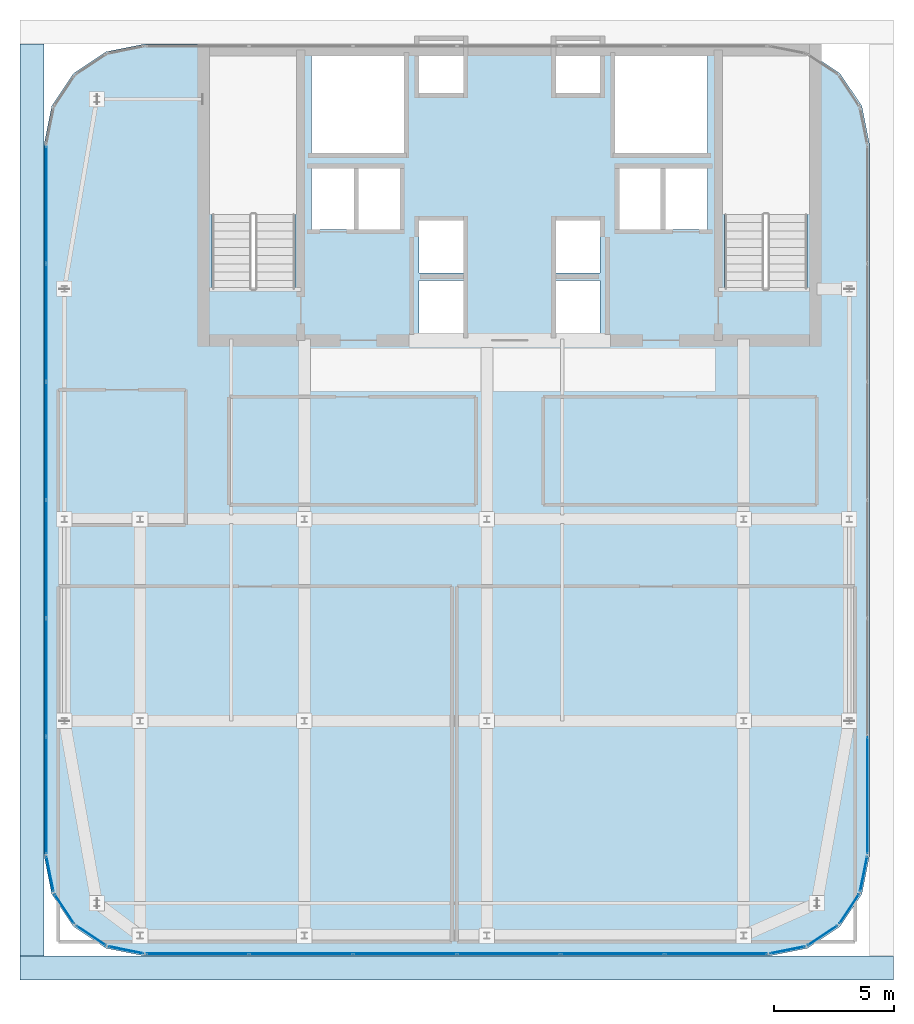
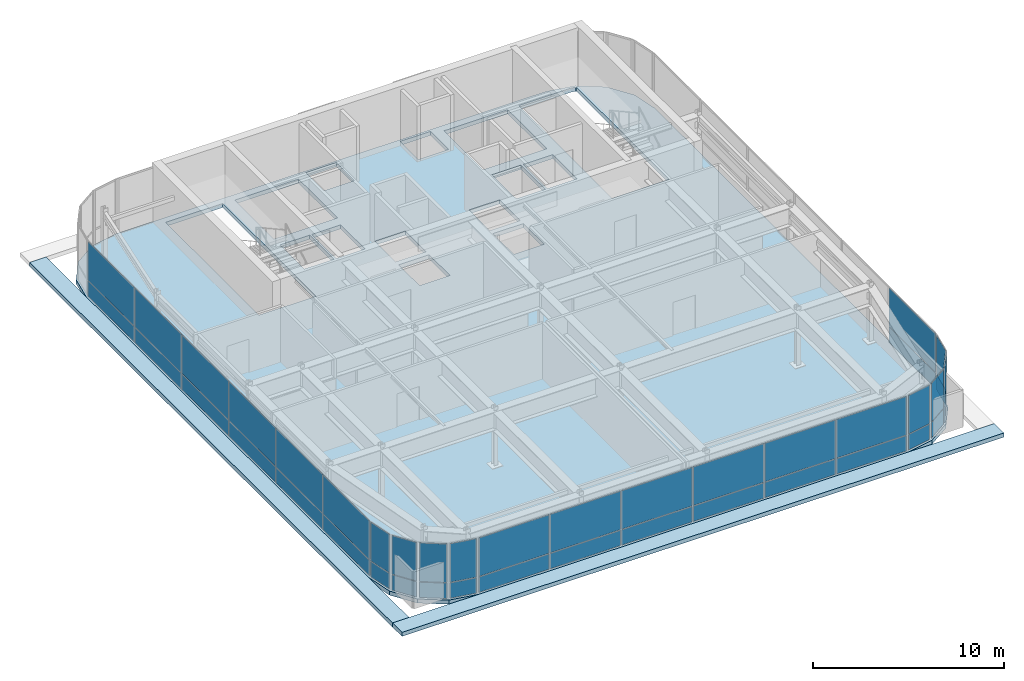
# One storey, part 27 of 35: 42 plates, 3 slabs, 11 elements without a shape of their own.
"""IFC4 building model written with IfcOpenShell, lengths in metres."""

from ifc_helpers import new_model, si_unit, direction, frame, origin, origin_2d, place, context, subcontext, project, spatial, polyline, rectangle, outline, extrude, source, transform, mapped, material, layer, layer_set, type_object, type_shapes, element, aggregate, save


model = new_model("IFC4")

# Units and contexts
model_context = context("Model", 3, precision=1e-05, world=origin(), true_north=direction((0.0, 1.0)))
body_context = subcontext(model_context, "Body", "Model", "MODEL_VIEW")
ifc_project = project(units=[si_unit("LENGTHUNIT", "METRE"), si_unit("AREAUNIT", "SQUARE_METRE"), si_unit("VOLUMEUNIT", "CUBIC_METRE"), si_unit("PLANEANGLEUNIT", "RADIAN"), si_unit("MASSUNIT", "GRAM", prefix="KILO")], contexts=[model_context])

# Site, building, storey
site_placement = place(None, origin())
site = spatial("IfcSite", under=ifc_project, at=site_placement, CompositionType="ELEMENT")
building_placement = place(site_placement, origin())
building = spatial("IfcBuilding", under=site, at=building_placement, Name="Tolvann Quenvar Hotel", CompositionType="ELEMENT")
storey_placement = place(building_placement, frame((0.0, 0.0, 290.949951171875)))
storey = spatial("IfcBuildingStorey", under=building, at=storey_placement, Name="L77", CompositionType="ELEMENT", Elevation=290.949951171875)

# Slabs
ifc_material_1 = material(Name="Concrete N50 (50 MPa)", Category="concrete")
ifc_layer_1 = layer(ifc_material_1, 0.260009765625)
ifc_layer_set_1 = layer_set([ifc_layer_1], Name="Concrete N50 (50 MPa)")
slab_type_1 = type_object("IfcSlabType", Name="SLAB_POD_250", PredefinedType="FLOOR", material=ifc_layer_set_1)
slab_1_placement = place(storey_placement, frame((0.0, 0.0, -0.260009765625)))
element("IfcSlab", 1, at=slab_1_placement, inside=storey, type_object=slab_type_1, Name="Level L77 Structural Floor Slab", PredefinedType="FLOOR", context=body_context, shape_type="SweptSolid", body=[
    extrude(outline(polyline([(3.60009765625, 10.39990234375), (3.919677734375, 8.792724609375), (4.830078125, 7.43017578125), (6.192626953125, 6.519775390625), (7.800048828125, 6.199951171875), (33.800048828125, 6.199951171875), (35.4072265625, 6.519775390625), (36.769775390625, 7.43017578125), (37.680419921875, 8.792724609375), (38.0, 10.39990234375), (38.0, 40.0), (37.680419921875, 41.607421875), (36.769775390625, 42.9697265625), (35.4072265625, 43.88037109375), (33.800048828125, 44.199951171875), (7.800048828125, 44.199951171875), (6.192626953125, 43.88037109375), (4.830078125, 42.9697265625), (3.919677734375, 41.607421875), (3.60009765625, 40.0), (3.60009765625, 10.39990234375)]), holes=[polyline([(35.39990234375, 43.716796875), (35.39990234375, 34.02490234375), (31.949951171875, 34.02490234375), (31.949951171875, 43.800048828125), (35.093505859375, 43.800048828125), (35.352783203125, 43.748291015625), (35.39990234375, 43.716796875)]), polyline([(27.39990234375, 43.75), (31.25, 43.75), (31.25, 39.64990234375), (27.39990234375, 39.64990234375), (27.39990234375, 43.75)]), polyline([(29.449951171875, 39.02001953125), (31.25, 39.02001953125), (31.25, 36.47998046875), (29.449951171875, 36.47998046875), (29.449951171875, 39.02001953125)]), polyline([(27.574951171875, 39.02001953125), (29.324951171875, 39.02001953125), (29.324951171875, 36.47998046875), (27.574951171875, 36.47998046875), (27.574951171875, 39.02001953125)]), polyline([(24.929931640625, 36.840087890625), (26.77001953125, 36.840087890625), (26.77001953125, 34.659912109375), (24.929931640625, 34.659912109375), (24.929931640625, 36.840087890625)]), polyline([(24.929931640625, 44.06005859375), (26.77001953125, 44.06005859375), (26.77001953125, 42.159912109375), (24.929931640625, 42.159912109375), (24.929931640625, 44.06005859375)]), polyline([(24.929931640625, 32.159912109375), (24.929931640625, 34.340087890625), (26.77001953125, 34.340087890625), (26.77001953125, 32.159912109375), (24.929931640625, 32.159912109375)]), polyline([(19.22998046875, 36.840087890625), (21.070068359375, 36.840087890625), (21.070068359375, 34.659912109375), (19.22998046875, 34.659912109375), (19.22998046875, 36.840087890625)]), polyline([(19.22998046875, 44.06005859375), (21.070068359375, 44.06005859375), (21.070068359375, 42.159912109375), (19.22998046875, 42.159912109375), (19.22998046875, 44.06005859375)]), polyline([(19.22998046875, 32.159912109375), (19.22998046875, 34.340087890625), (21.070068359375, 34.340087890625), (21.070068359375, 32.159912109375), (19.22998046875, 32.159912109375)]), polyline([(14.75, 43.75), (18.60009765625, 43.75), (18.60009765625, 39.64990234375), (14.75, 39.64990234375), (14.75, 43.75)]), polyline([(16.675048828125, 39.02001953125), (18.425048828125, 39.02001953125), (18.425048828125, 36.47998046875), (16.675048828125, 36.47998046875), (16.675048828125, 39.02001953125)]), polyline([(14.75, 39.02001953125), (16.550048828125, 39.02001953125), (16.550048828125, 36.47998046875), (14.75, 36.47998046875), (14.75, 39.02001953125)]), polyline([(10.60009765625, 34.02490234375), (10.60009765625, 43.800048828125), (14.050048828125, 43.800048828125), (14.050048828125, 34.02490234375), (10.60009765625, 34.02490234375)])]), origin(), (0.0, 0.0, 1.0), 0.260009765625),
])
ifc_layer_2 = layer(ifc_material_1, 0.260009765625)
ifc_layer_set_2 = layer_set([ifc_layer_2], Name="Concrete N50 (50 MPa)")
slab_type_2 = type_object("IfcSlabType", Name="SLAB_TER_260", PredefinedType="ROOF", material=ifc_layer_set_2)
slab_2_placement = place(storey_placement, frame((0.0, 0.0, -0.260009765625)))
element("IfcSlab", 2, at=slab_2_placement, inside=storey, type_object=slab_type_2, Name="Step-in Roof Cap (ROOF-L77-S)", PredefinedType="ROOF", context=body_context, shape_type="SweptSolid", body=[
    extrude(outline(polyline([(2.60009765625, 5.199951171875), (39.0, 5.199951171875), (39.0, 6.199951171875), (2.60009765625, 6.199951171875), (2.60009765625, 5.199951171875)])), origin(), (0.0, 0.0, 1.0), 0.260009765625),
])
slab_3_placement = place(storey_placement, frame((0.0, 0.0, -0.260009765625)))
element("IfcSlab", 3, at=slab_3_placement, inside=storey, type_object=slab_type_2, Name="Step-in Roof Cap (ROOF-L77-W)", PredefinedType="ROOF", context=body_context, shape_type="SweptSolid", body=[
    extrude(outline(polyline([(2.60009765625, 6.199951171875), (3.60009765625, 6.199951171875), (3.60009765625, 44.199951171875), (2.60009765625, 44.199951171875), (2.60009765625, 6.199951171875)])), origin(), (0.0, 0.0, 1.0), 0.260009765625),
])

# Curtain wall, plate
ifc_material_2 = material(Name="Thermally broken anodised architectural aluminium 6063-T6 and laminated low-E glass", Category="aluminium")
ifc_layer_3 = layer(ifc_material_2, 0.179931640625)
ifc_layer_set_3 = layer_set([ifc_layer_3], Name="Thermally broken anodised architectural aluminium 6063-T6 and laminated low-E glass")
curtain_wall_type = type_object("IfcCurtainWallType", Name="CW_SYS_LANT_06", PredefinedType="USERDEFINED", material=ifc_layer_set_3)
curtain_wall_1_placement = place(storey_placement, origin())
curtain_wall_1 = element("IfcCurtainWall", 4, at=curtain_wall_1_placement, inside=storey, type_object=curtain_wall_type, Name="Curtain Wall CW-LANT-06 (CWR-L77-E01)", ObjectType="UNITISED CURTAIN WALL", PredefinedType="USERDEFINED")
ifc_material_3 = material(Name="Diffused translucent ceramic-frit laminated lantern glass", Category="glass")
ifc_layer_4 = layer(ifc_material_3, 0.031982421875)
ifc_layer_set_4 = layer_set([ifc_layer_4], Name="Diffused translucent ceramic-frit laminated lantern glass")
plate_type = type_object("IfcPlateType", Name="CW_PAN_LANT_32", PredefinedType="CURTAIN_PANEL", material=ifc_layer_set_4)
shared_shape_1 = source(origin(), body_context, "Body", "SweptSolid", [
    extrude(rectangle(XDim=1.439208984375, YDim=0.031982421875, at=origin_2d()), origin(), (0.0, 0.0, 1.0), 0.97509765625),
])
plate_1_placement = place(storey_placement, frame((4.44970703125, 8.16162109375, 0.050048828125), z_axis=(0.0, 0.0, 1.0), x_axis=(0.555655769644, -0.831412452193, 0.0)))
plate_1 = element("IfcPlate", 5, at=plate_1_placement, type_object=plate_type, Name="CW-LANT-06 panel 1.1", PredefinedType="CURTAIN_PANEL", context=body_context, shape_type="MappedRepresentation", body=[
    mapped(shared_shape_1, transform((0.0, 0.0, 0.0), x_axis=(1.0, 0.0, 0.0), y_axis=(0.0, 1.0, 0.0), z_axis=(0.0, 0.0, 1.0), scale=1.0)),
])

curtain_wall_2_placement = place(storey_placement, origin())
curtain_wall_2 = element("IfcCurtainWall", 6, at=curtain_wall_2_placement, inside=storey, type_object=curtain_wall_type, Name="Curtain Wall CW-LANT-06 (CWR-L77-E02)", ObjectType="UNITISED CURTAIN WALL", PredefinedType="USERDEFINED")
plate_2_placement = place(storey_placement, frame((5.5615234375, 7.0498046875, 0.050048828125), z_axis=(0.0, 0.0, 1.0), x_axis=(0.831412452193, -0.555655769644, 0.0)))
plate_2 = element("IfcPlate", 7, at=plate_2_placement, type_object=plate_type, Name="CW-LANT-06 panel 1.1", PredefinedType="CURTAIN_PANEL", context=body_context, shape_type="MappedRepresentation", body=[
    mapped(shared_shape_1, transform((0.0, 0.0, 0.0), x_axis=(1.0, 0.0, 0.0), y_axis=(0.0, 1.0, 0.0), z_axis=(0.0, 0.0, 1.0), scale=1.0)),
])

curtain_wall_3_placement = place(storey_placement, origin())
curtain_wall_3 = element("IfcCurtainWall", 8, at=curtain_wall_3_placement, inside=storey, type_object=curtain_wall_type, Name="Curtain Wall CW-LANT-06 (CWR-L77-E06)", ObjectType="UNITISED CURTAIN WALL", PredefinedType="USERDEFINED")
plate_3_placement = place(storey_placement, frame((36.03857421875, 7.0498046875, 0.050048828125), z_axis=(0.0, 0.0, 1.0), x_axis=(0.831412452193, 0.555655769644, 0.0)))
plate_3 = element("IfcPlate", 9, at=plate_3_placement, type_object=plate_type, Name="CW-LANT-06 panel 1.1", PredefinedType="CURTAIN_PANEL", context=body_context, shape_type="MappedRepresentation", body=[
    mapped(shared_shape_1, transform((0.0, 0.0, 0.0), x_axis=(1.0, 0.0, 0.0), y_axis=(0.0, 1.0, 0.0), z_axis=(0.0, 0.0, 1.0), scale=1.0)),
])

curtain_wall_4_placement = place(storey_placement, origin())
curtain_wall_4 = element("IfcCurtainWall", 10, at=curtain_wall_4_placement, inside=storey, type_object=curtain_wall_type, Name="Curtain Wall CW-LANT-06 (CWR-L77-E07)", ObjectType="UNITISED CURTAIN WALL", PredefinedType="USERDEFINED")
plate_4_placement = place(storey_placement, frame((37.150146484375, 8.16162109375, 0.050048828125), z_axis=(0.0, 0.0, 1.0), x_axis=(0.555655769644, 0.831412452193, 0.0)))
plate_4 = element("IfcPlate", 11, at=plate_4_placement, type_object=plate_type, Name="CW-LANT-06 panel 1.1", PredefinedType="CURTAIN_PANEL", context=body_context, shape_type="MappedRepresentation", body=[
    mapped(shared_shape_1, transform((0.0, 0.0, 0.0), x_axis=(1.0, 0.0, 0.0), y_axis=(0.0, 1.0, 0.0), z_axis=(0.0, 0.0, 1.0), scale=1.0)),
])

# Plate
shared_shape_2 = source(origin(), body_context, "Body", "SweptSolid", [
    extrude(rectangle(XDim=1.439208984375, YDim=0.031982421875, at=origin_2d()), origin(), (0.0, 0.0, 1.0), 2.455078125),
])
plate_5_placement = place(storey_placement, frame((4.44970703125, 8.16162109375, 1.074951171875), z_axis=(0.0, 0.0, 1.0), x_axis=(0.555655769644, -0.831412452193, 0.0)))
plate_5 = element("IfcPlate", 12, at=plate_5_placement, type_object=plate_type, Name="CW-LANT-06 panel 1.2", PredefinedType="CURTAIN_PANEL", context=body_context, shape_type="MappedRepresentation", body=[
    mapped(shared_shape_2, transform((0.0, 0.0, 0.0), x_axis=(1.0, 0.0, 0.0), y_axis=(0.0, 1.0, 0.0), z_axis=(0.0, 0.0, 1.0), scale=1.0)),
])

aggregate(curtain_wall_1, [plate_1, plate_5])

plate_6_placement = place(storey_placement, frame((5.5615234375, 7.0498046875, 1.074951171875), z_axis=(0.0, 0.0, 1.0), x_axis=(0.831412452193, -0.555655769644, 0.0)))
plate_6 = element("IfcPlate", 13, at=plate_6_placement, type_object=plate_type, Name="CW-LANT-06 panel 1.2", PredefinedType="CURTAIN_PANEL", context=body_context, shape_type="MappedRepresentation", body=[
    mapped(shared_shape_2, transform((0.0, 0.0, 0.0), x_axis=(1.0, 0.0, 0.0), y_axis=(0.0, 1.0, 0.0), z_axis=(0.0, 0.0, 1.0), scale=1.0)),
])

aggregate(curtain_wall_2, [plate_2, plate_6])

plate_7_placement = place(storey_placement, frame((36.03857421875, 7.0498046875, 1.074951171875), z_axis=(0.0, 0.0, 1.0), x_axis=(0.831412452193, 0.555655769644, 0.0)))
plate_7 = element("IfcPlate", 14, at=plate_7_placement, type_object=plate_type, Name="CW-LANT-06 panel 1.2", PredefinedType="CURTAIN_PANEL", context=body_context, shape_type="MappedRepresentation", body=[
    mapped(shared_shape_2, transform((0.0, 0.0, 0.0), x_axis=(1.0, 0.0, 0.0), y_axis=(0.0, 1.0, 0.0), z_axis=(0.0, 0.0, 1.0), scale=1.0)),
])

aggregate(curtain_wall_3, [plate_3, plate_7])

plate_8_placement = place(storey_placement, frame((37.150146484375, 8.16162109375, 1.074951171875), z_axis=(0.0, 0.0, 1.0), x_axis=(0.555655769644, 0.831412452193, 0.0)))
plate_8 = element("IfcPlate", 15, at=plate_8_placement, type_object=plate_type, Name="CW-LANT-06 panel 1.2", PredefinedType="CURTAIN_PANEL", context=body_context, shape_type="MappedRepresentation", body=[
    mapped(shared_shape_2, transform((0.0, 0.0, 0.0), x_axis=(1.0, 0.0, 0.0), y_axis=(0.0, 1.0, 0.0), z_axis=(0.0, 0.0, 1.0), scale=1.0)),
])

aggregate(curtain_wall_4, [plate_4, plate_8])

# Curtain wall, plate
curtain_wall_5_placement = place(storey_placement, origin())
curtain_wall_5 = element("IfcCurtainWall", 16, at=curtain_wall_5_placement, inside=storey, type_object=curtain_wall_type, Name="Curtain Wall CW-LANT-06 (CWR-L77-E03)", ObjectType="UNITISED CURTAIN WALL", PredefinedType="USERDEFINED")
shared_shape_3 = source(origin(), body_context, "Body", "SweptSolid", [
    extrude(rectangle(XDim=1.456787109375, YDim=0.031982421875, at=origin_2d()), origin(), (0.0, 0.0, 1.0), 0.97509765625),
])
plate_9_placement = place(storey_placement, frame((7.0224609375, 6.4462890625, 0.050048828125), z_axis=(0.0, 0.0, 1.0), x_axis=(0.980790999222, -0.195061569369, 0.0)))
plate_9 = element("IfcPlate", 17, at=plate_9_placement, type_object=plate_type, Name="CW-LANT-06 panel 1.1", PredefinedType="CURTAIN_PANEL", context=body_context, shape_type="MappedRepresentation", body=[
    mapped(shared_shape_3, transform((0.0, 0.0, 0.0), x_axis=(1.0, 0.0, 0.0), y_axis=(0.0, 1.0, 0.0), z_axis=(0.0, 0.0, 1.0), scale=1.0)),
])

curtain_wall_6_placement = place(storey_placement, origin())
curtain_wall_6 = element("IfcCurtainWall", 18, at=curtain_wall_6_placement, inside=storey, type_object=curtain_wall_type, Name="Curtain Wall CW-LANT-06 (CWR-L77-E05)", ObjectType="UNITISED CURTAIN WALL", PredefinedType="USERDEFINED")
plate_10_placement = place(storey_placement, frame((34.577392578125, 6.4462890625, 0.050048828125), z_axis=(0.0, 0.0, 1.0), x_axis=(0.980790999222, 0.195061569369, 0.0)))
plate_10 = element("IfcPlate", 19, at=plate_10_placement, type_object=plate_type, Name="CW-LANT-06 panel 1.1", PredefinedType="CURTAIN_PANEL", context=body_context, shape_type="MappedRepresentation", body=[
    mapped(shared_shape_3, transform((0.0, 0.0, 0.0), x_axis=(1.0, 0.0, 0.0), y_axis=(0.0, 1.0, 0.0), z_axis=(0.0, 0.0, 1.0), scale=1.0)),
])

curtain_wall_7_placement = place(storey_placement, origin())
curtain_wall_7 = element("IfcCurtainWall", 20, at=curtain_wall_7_placement, inside=storey, type_object=curtain_wall_type, Name="Curtain Wall CW-LANT-06 (CWR-L77-E08)", ObjectType="UNITISED CURTAIN WALL", PredefinedType="USERDEFINED")
plate_11_placement = place(storey_placement, frame((37.753662109375, 9.62255859375, 0.050048828125), z_axis=(0.0, 0.0, 1.0), x_axis=(0.195061569369, 0.980790999222, 0.0)))
plate_11 = element("IfcPlate", 21, at=plate_11_placement, type_object=plate_type, Name="CW-LANT-06 panel 1.1", PredefinedType="CURTAIN_PANEL", context=body_context, shape_type="MappedRepresentation", body=[
    mapped(shared_shape_3, transform((0.0, 0.0, 0.0), x_axis=(1.0, 0.0, 0.0), y_axis=(0.0, 1.0, 0.0), z_axis=(0.0, 0.0, 1.0), scale=1.0)),
])

curtain_wall_8_placement = place(storey_placement, origin())
curtain_wall_8 = element("IfcCurtainWall", 22, at=curtain_wall_8_placement, inside=storey, type_object=curtain_wall_type, Name="Curtain Wall CW-LANT-06 (CWR-L77-E20)", ObjectType="UNITISED CURTAIN WALL", PredefinedType="USERDEFINED")
plate_12_placement = place(storey_placement, frame((3.846435546875, 9.62255859375, 0.050048828125), z_axis=(0.0, 0.0, 1.0), x_axis=(0.195061569369, -0.980790999222, 0.0)))
plate_12 = element("IfcPlate", 23, at=plate_12_placement, type_object=plate_type, Name="CW-LANT-06 panel 1.1", PredefinedType="CURTAIN_PANEL", context=body_context, shape_type="MappedRepresentation", body=[
    mapped(shared_shape_3, transform((0.0, 0.0, 0.0), x_axis=(1.0, 0.0, 0.0), y_axis=(0.0, 1.0, 0.0), z_axis=(0.0, 0.0, 1.0), scale=1.0)),
])

# Plate
shared_shape_4 = source(origin(), body_context, "Body", "SweptSolid", [
    extrude(rectangle(XDim=1.456787109375, YDim=0.031982421875, at=origin_2d()), origin(), (0.0, 0.0, 1.0), 2.455078125),
])
plate_13_placement = place(storey_placement, frame((7.0224609375, 6.4462890625, 1.074951171875), z_axis=(0.0, 0.0, 1.0), x_axis=(0.980790999222, -0.195061569369, 0.0)))
plate_13 = element("IfcPlate", 24, at=plate_13_placement, type_object=plate_type, Name="CW-LANT-06 panel 1.2", PredefinedType="CURTAIN_PANEL", context=body_context, shape_type="MappedRepresentation", body=[
    mapped(shared_shape_4, transform((0.0, 0.0, 0.0), x_axis=(1.0, 0.0, 0.0), y_axis=(0.0, 1.0, 0.0), z_axis=(0.0, 0.0, 1.0), scale=1.0)),
])

aggregate(curtain_wall_5, [plate_9, plate_13])

plate_14_placement = place(storey_placement, frame((34.577392578125, 6.4462890625, 1.074951171875), z_axis=(0.0, 0.0, 1.0), x_axis=(0.980790999222, 0.195061569369, 0.0)))
plate_14 = element("IfcPlate", 25, at=plate_14_placement, type_object=plate_type, Name="CW-LANT-06 panel 1.2", PredefinedType="CURTAIN_PANEL", context=body_context, shape_type="MappedRepresentation", body=[
    mapped(shared_shape_4, transform((0.0, 0.0, 0.0), x_axis=(1.0, 0.0, 0.0), y_axis=(0.0, 1.0, 0.0), z_axis=(0.0, 0.0, 1.0), scale=1.0)),
])

aggregate(curtain_wall_6, [plate_10, plate_14])

plate_15_placement = place(storey_placement, frame((37.753662109375, 9.62255859375, 1.074951171875), z_axis=(0.0, 0.0, 1.0), x_axis=(0.195061569369, 0.980790999222, 0.0)))
plate_15 = element("IfcPlate", 26, at=plate_15_placement, type_object=plate_type, Name="CW-LANT-06 panel 1.2", PredefinedType="CURTAIN_PANEL", context=body_context, shape_type="MappedRepresentation", body=[
    mapped(shared_shape_4, transform((0.0, 0.0, 0.0), x_axis=(1.0, 0.0, 0.0), y_axis=(0.0, 1.0, 0.0), z_axis=(0.0, 0.0, 1.0), scale=1.0)),
])

aggregate(curtain_wall_7, [plate_11, plate_15])

plate_16_placement = place(storey_placement, frame((3.846435546875, 9.62255859375, 1.074951171875), z_axis=(0.0, 0.0, 1.0), x_axis=(0.195061569369, -0.980790999222, 0.0)))
plate_16 = element("IfcPlate", 27, at=plate_16_placement, type_object=plate_type, Name="CW-LANT-06 panel 1.2", PredefinedType="CURTAIN_PANEL", context=body_context, shape_type="MappedRepresentation", body=[
    mapped(shared_shape_4, transform((0.0, 0.0, 0.0), x_axis=(1.0, 0.0, 0.0), y_axis=(0.0, 1.0, 0.0), z_axis=(0.0, 0.0, 1.0), scale=1.0)),
])

aggregate(curtain_wall_8, [plate_12, plate_16])

# Curtain wall, plates
curtain_wall_9_placement = place(storey_placement, origin())
curtain_wall_9 = element("IfcCurtainWall", 28, at=curtain_wall_9_placement, inside=storey, type_object=curtain_wall_type, Name="Curtain Wall CW-LANT-06 (CWR-L77-E04)", ObjectType="UNITISED CURTAIN WALL", PredefinedType="USERDEFINED")
shared_shape_5 = source(origin(), body_context, "Body", "SweptSolid", [
    extrude(rectangle(XDim=4.22998046875, YDim=0.031982421875, at=origin_2d()), origin(), (0.0, 0.0, 1.0), 0.97509765625),
])
plate_17_placement = place(storey_placement, frame((9.997314453125, 6.2900390625, 0.050048828125), z_axis=(0.0, 0.0, 1.0), x_axis=(1.0, 0.0, 0.0)))
plate_17 = element("IfcPlate", 29, at=plate_17_placement, type_object=plate_type, Name="CW-LANT-06 panel 1.1", PredefinedType="CURTAIN_PANEL", context=body_context, shape_type="MappedRepresentation", body=[
    mapped(shared_shape_5, transform((0.0, 0.0, 0.0), x_axis=(1.0, 0.0, 0.0), y_axis=(0.0, 1.0, 0.0), z_axis=(0.0, 0.0, 1.0), scale=1.0)),
])
plate_18_placement = place(storey_placement, frame((31.602783203125, 6.2900390625, 0.050048828125), z_axis=(0.0, 0.0, 1.0), x_axis=(1.0, 0.0, 0.0)))
plate_18 = element("IfcPlate", 30, at=plate_18_placement, type_object=plate_type, Name="CW-LANT-06 panel 6.1", PredefinedType="CURTAIN_PANEL", context=body_context, shape_type="MappedRepresentation", body=[
    mapped(shared_shape_5, transform((0.0, 0.0, 0.0), x_axis=(1.0, 0.0, 0.0), y_axis=(0.0, 1.0, 0.0), z_axis=(0.0, 0.0, 1.0), scale=1.0)),
])
shared_shape_6 = source(origin(), body_context, "Body", "SweptSolid", [
    extrude(rectangle(XDim=4.22998046875, YDim=0.031982421875, at=origin_2d()), origin(), (0.0, 0.0, 1.0), 2.455078125),
])
plate_19_placement = place(storey_placement, frame((9.997314453125, 6.2900390625, 1.074951171875), z_axis=(0.0, 0.0, 1.0), x_axis=(1.0, 0.0, 0.0)))
plate_19 = element("IfcPlate", 31, at=plate_19_placement, type_object=plate_type, Name="CW-LANT-06 panel 1.2", PredefinedType="CURTAIN_PANEL", context=body_context, shape_type="MappedRepresentation", body=[
    mapped(shared_shape_6, transform((0.0, 0.0, 0.0), x_axis=(1.0, 0.0, 0.0), y_axis=(0.0, 1.0, 0.0), z_axis=(0.0, 0.0, 1.0), scale=1.0)),
])
plate_20_placement = place(storey_placement, frame((31.602783203125, 6.2900390625, 1.074951171875), z_axis=(0.0, 0.0, 1.0), x_axis=(1.0, 0.0, 0.0)))
plate_20 = element("IfcPlate", 32, at=plate_20_placement, type_object=plate_type, Name="CW-LANT-06 panel 6.2", PredefinedType="CURTAIN_PANEL", context=body_context, shape_type="MappedRepresentation", body=[
    mapped(shared_shape_6, transform((0.0, 0.0, 0.0), x_axis=(1.0, 0.0, 0.0), y_axis=(0.0, 1.0, 0.0), z_axis=(0.0, 0.0, 1.0), scale=1.0)),
])
shared_shape_7 = source(origin(), body_context, "Body", "SweptSolid", [
    extrude(rectangle(XDim=4.2626953125, YDim=0.031982421875, at=origin_2d()), origin(), (0.0, 0.0, 1.0), 0.97509765625),
])
plate_21_placement = place(storey_placement, frame((14.30859375, 6.2900390625, 0.050048828125), z_axis=(0.0, 0.0, 1.0), x_axis=(1.0, 0.0, 0.0)))
plate_21 = element("IfcPlate", 33, at=plate_21_placement, type_object=plate_type, Name="CW-LANT-06 panel 2.1", PredefinedType="CURTAIN_PANEL", context=body_context, shape_type="MappedRepresentation", body=[
    mapped(shared_shape_7, transform((0.0, 0.0, 0.0), x_axis=(1.0, 0.0, 0.0), y_axis=(0.0, 1.0, 0.0), z_axis=(0.0, 0.0, 1.0), scale=1.0)),
])
plate_22_placement = place(storey_placement, frame((18.63623046875, 6.2900390625, 0.050048828125), z_axis=(0.0, 0.0, 1.0), x_axis=(1.0, 0.0, 0.0)))
plate_22 = element("IfcPlate", 34, at=plate_22_placement, type_object=plate_type, Name="CW-LANT-06 panel 3.1", PredefinedType="CURTAIN_PANEL", context=body_context, shape_type="MappedRepresentation", body=[
    mapped(shared_shape_7, transform((0.0, 0.0, 0.0), x_axis=(1.0, 0.0, 0.0), y_axis=(0.0, 1.0, 0.0), z_axis=(0.0, 0.0, 1.0), scale=1.0)),
])
plate_23_placement = place(storey_placement, frame((22.9638671875, 6.2900390625, 0.050048828125), z_axis=(0.0, 0.0, 1.0), x_axis=(1.0, 0.0, 0.0)))
plate_23 = element("IfcPlate", 35, at=plate_23_placement, type_object=plate_type, Name="CW-LANT-06 panel 4.1", PredefinedType="CURTAIN_PANEL", context=body_context, shape_type="MappedRepresentation", body=[
    mapped(shared_shape_7, transform((0.0, 0.0, 0.0), x_axis=(1.0, 0.0, 0.0), y_axis=(0.0, 1.0, 0.0), z_axis=(0.0, 0.0, 1.0), scale=1.0)),
])
plate_24_placement = place(storey_placement, frame((27.29150390625, 6.2900390625, 0.050048828125), z_axis=(0.0, 0.0, 1.0), x_axis=(1.0, 0.0, 0.0)))
plate_24 = element("IfcPlate", 36, at=plate_24_placement, type_object=plate_type, Name="CW-LANT-06 panel 5.1", PredefinedType="CURTAIN_PANEL", context=body_context, shape_type="MappedRepresentation", body=[
    mapped(shared_shape_7, transform((0.0, 0.0, 0.0), x_axis=(1.0, 0.0, 0.0), y_axis=(0.0, 1.0, 0.0), z_axis=(0.0, 0.0, 1.0), scale=1.0)),
])
shared_shape_8 = source(origin(), body_context, "Body", "SweptSolid", [
    extrude(rectangle(XDim=4.2626953125, YDim=0.031982421875, at=origin_2d()), origin(), (0.0, 0.0, 1.0), 2.455078125),
])
plate_25_placement = place(storey_placement, frame((14.30859375, 6.2900390625, 1.074951171875), z_axis=(0.0, 0.0, 1.0), x_axis=(1.0, 0.0, 0.0)))
plate_25 = element("IfcPlate", 37, at=plate_25_placement, type_object=plate_type, Name="CW-LANT-06 panel 2.2", PredefinedType="CURTAIN_PANEL", context=body_context, shape_type="MappedRepresentation", body=[
    mapped(shared_shape_8, transform((0.0, 0.0, 0.0), x_axis=(1.0, 0.0, 0.0), y_axis=(0.0, 1.0, 0.0), z_axis=(0.0, 0.0, 1.0), scale=1.0)),
])
plate_26_placement = place(storey_placement, frame((18.63623046875, 6.2900390625, 1.074951171875), z_axis=(0.0, 0.0, 1.0), x_axis=(1.0, 0.0, 0.0)))
plate_26 = element("IfcPlate", 38, at=plate_26_placement, type_object=plate_type, Name="CW-LANT-06 panel 3.2", PredefinedType="CURTAIN_PANEL", context=body_context, shape_type="MappedRepresentation", body=[
    mapped(shared_shape_8, transform((0.0, 0.0, 0.0), x_axis=(1.0, 0.0, 0.0), y_axis=(0.0, 1.0, 0.0), z_axis=(0.0, 0.0, 1.0), scale=1.0)),
])
plate_27_placement = place(storey_placement, frame((22.9638671875, 6.2900390625, 1.074951171875), z_axis=(0.0, 0.0, 1.0), x_axis=(1.0, 0.0, 0.0)))
plate_27 = element("IfcPlate", 39, at=plate_27_placement, type_object=plate_type, Name="CW-LANT-06 panel 4.2", PredefinedType="CURTAIN_PANEL", context=body_context, shape_type="MappedRepresentation", body=[
    mapped(shared_shape_8, transform((0.0, 0.0, 0.0), x_axis=(1.0, 0.0, 0.0), y_axis=(0.0, 1.0, 0.0), z_axis=(0.0, 0.0, 1.0), scale=1.0)),
])
plate_28_placement = place(storey_placement, frame((27.29150390625, 6.2900390625, 1.074951171875), z_axis=(0.0, 0.0, 1.0), x_axis=(1.0, 0.0, 0.0)))
plate_28 = element("IfcPlate", 40, at=plate_28_placement, type_object=plate_type, Name="CW-LANT-06 panel 5.2", PredefinedType="CURTAIN_PANEL", context=body_context, shape_type="MappedRepresentation", body=[
    mapped(shared_shape_8, transform((0.0, 0.0, 0.0), x_axis=(1.0, 0.0, 0.0), y_axis=(0.0, 1.0, 0.0), z_axis=(0.0, 0.0, 1.0), scale=1.0)),
])
aggregate(curtain_wall_9, [plate_17, plate_19, plate_21, plate_25, plate_22, plate_26, plate_23, plate_27, plate_24, plate_28, plate_18, plate_20])

# Curtain wall, plate
curtain_wall_10_placement = place(storey_placement, origin())
curtain_wall_10 = element("IfcCurtainWall", 41, at=curtain_wall_10_placement, inside=storey, type_object=curtain_wall_type, Name="Curtain Wall CW-LANT-06 (CWR-L77-E09)", ObjectType="UNITISED CURTAIN WALL", PredefinedType="USERDEFINED")
shared_shape_9 = source(origin(), body_context, "Body", "SweptSolid", [
    extrude(rectangle(XDim=4.830078125, YDim=0.031982421875, at=origin_2d()), origin(), (0.0, 0.0, 1.0), 0.97509765625),
])
plate_29_placement = place(storey_placement, frame((37.909912109375, 12.897216796875, 0.050048828125), z_axis=(0.0, 0.0, 1.0), x_axis=(0.0, 1.0, 0.0)))
plate_29 = element("IfcPlate", 42, at=plate_29_placement, type_object=plate_type, Name="CW-LANT-06 panel 1.1", PredefinedType="CURTAIN_PANEL", context=body_context, shape_type="MappedRepresentation", body=[
    mapped(shared_shape_9, transform((0.0, 0.0, 0.0), x_axis=(1.0, 0.0, 0.0), y_axis=(0.0, 1.0, 0.0), z_axis=(0.0, 0.0, 1.0), scale=1.0)),
])

# Curtain wall, plates
curtain_wall_11_placement = place(storey_placement, origin())
curtain_wall_11 = element("IfcCurtainWall", 43, at=curtain_wall_11_placement, inside=storey, type_object=curtain_wall_type, Name="Curtain Wall CW-LANT-06 (CWR-L77-E19)", ObjectType="UNITISED CURTAIN WALL", PredefinedType="USERDEFINED")
plate_30_placement = place(storey_placement, frame((3.68994140625, 37.502685546875, 0.050048828125), z_axis=(0.0, 0.0, 1.0), x_axis=(0.0, -1.0, 0.0)))
plate_30 = element("IfcPlate", 44, at=plate_30_placement, type_object=plate_type, Name="CW-LANT-06 panel 1.1", PredefinedType="CURTAIN_PANEL", context=body_context, shape_type="MappedRepresentation", body=[
    mapped(shared_shape_9, transform((0.0, 0.0, 0.0), x_axis=(1.0, 0.0, 0.0), y_axis=(0.0, 1.0, 0.0), z_axis=(0.0, 0.0, 1.0), scale=1.0)),
])
plate_31_placement = place(storey_placement, frame((3.68994140625, 12.897216796875, 0.050048828125), z_axis=(0.0, 0.0, 1.0), x_axis=(0.0, -1.0, 0.0)))
plate_31 = element("IfcPlate", 45, at=plate_31_placement, type_object=plate_type, Name="CW-LANT-06 panel 6.1", PredefinedType="CURTAIN_PANEL", context=body_context, shape_type="MappedRepresentation", body=[
    mapped(shared_shape_9, transform((0.0, 0.0, 0.0), x_axis=(1.0, 0.0, 0.0), y_axis=(0.0, 1.0, 0.0), z_axis=(0.0, 0.0, 1.0), scale=1.0)),
])

# Plate
shared_shape_10 = source(origin(), body_context, "Body", "SweptSolid", [
    extrude(rectangle(XDim=4.830078125, YDim=0.031982421875, at=origin_2d()), origin(), (0.0, 0.0, 1.0), 2.455078125),
])
plate_32_placement = place(storey_placement, frame((37.909912109375, 12.897216796875, 1.074951171875), z_axis=(0.0, 0.0, 1.0), x_axis=(0.0, 1.0, 0.0)))
plate_32 = element("IfcPlate", 46, at=plate_32_placement, type_object=plate_type, Name="CW-LANT-06 panel 1.2", PredefinedType="CURTAIN_PANEL", context=body_context, shape_type="MappedRepresentation", body=[
    mapped(shared_shape_10, transform((0.0, 0.0, 0.0), x_axis=(1.0, 0.0, 0.0), y_axis=(0.0, 1.0, 0.0), z_axis=(0.0, 0.0, 1.0), scale=1.0)),
])

aggregate(curtain_wall_10, [plate_29, plate_32])

plate_33_placement = place(storey_placement, frame((3.68994140625, 37.502685546875, 1.074951171875), z_axis=(0.0, 0.0, 1.0), x_axis=(0.0, -1.0, 0.0)))
plate_33 = element("IfcPlate", 47, at=plate_33_placement, type_object=plate_type, Name="CW-LANT-06 panel 1.2", PredefinedType="CURTAIN_PANEL", context=body_context, shape_type="MappedRepresentation", body=[
    mapped(shared_shape_10, transform((0.0, 0.0, 0.0), x_axis=(1.0, 0.0, 0.0), y_axis=(0.0, 1.0, 0.0), z_axis=(0.0, 0.0, 1.0), scale=1.0)),
])

plate_34_placement = place(storey_placement, frame((3.68994140625, 12.897216796875, 1.074951171875), z_axis=(0.0, 0.0, 1.0), x_axis=(0.0, -1.0, 0.0)))
plate_34 = element("IfcPlate", 48, at=plate_34_placement, type_object=plate_type, Name="CW-LANT-06 panel 6.2", PredefinedType="CURTAIN_PANEL", context=body_context, shape_type="MappedRepresentation", body=[
    mapped(shared_shape_10, transform((0.0, 0.0, 0.0), x_axis=(1.0, 0.0, 0.0), y_axis=(0.0, 1.0, 0.0), z_axis=(0.0, 0.0, 1.0), scale=1.0)),
])

shared_shape_11 = source(origin(), body_context, "Body", "SweptSolid", [
    extrude(rectangle(XDim=4.862548828125, YDim=0.031982421875, at=origin_2d()), origin(), (0.0, 0.0, 1.0), 0.97509765625),
])
plate_35_placement = place(storey_placement, frame((3.68994140625, 32.59130859375, 0.050048828125), z_axis=(0.0, 0.0, 1.0), x_axis=(0.0, -1.0, 0.0)))
plate_35 = element("IfcPlate", 49, at=plate_35_placement, type_object=plate_type, Name="CW-LANT-06 panel 2.1", PredefinedType="CURTAIN_PANEL", context=body_context, shape_type="MappedRepresentation", body=[
    mapped(shared_shape_11, transform((0.0, 0.0, 0.0), x_axis=(1.0, 0.0, 0.0), y_axis=(0.0, 1.0, 0.0), z_axis=(0.0, 0.0, 1.0), scale=1.0)),
])

plate_36_placement = place(storey_placement, frame((3.68994140625, 27.663818359375, 0.050048828125), z_axis=(0.0, 0.0, 1.0), x_axis=(0.0, -1.0, 0.0)))
plate_36 = element("IfcPlate", 50, at=plate_36_placement, type_object=plate_type, Name="CW-LANT-06 panel 3.1", PredefinedType="CURTAIN_PANEL", context=body_context, shape_type="MappedRepresentation", body=[
    mapped(shared_shape_11, transform((0.0, 0.0, 0.0), x_axis=(1.0, 0.0, 0.0), y_axis=(0.0, 1.0, 0.0), z_axis=(0.0, 0.0, 1.0), scale=1.0)),
])

plate_37_placement = place(storey_placement, frame((3.68994140625, 22.736083984375, 0.050048828125), z_axis=(0.0, 0.0, 1.0), x_axis=(0.0, -1.0, 0.0)))
plate_37 = element("IfcPlate", 51, at=plate_37_placement, type_object=plate_type, Name="CW-LANT-06 panel 4.1", PredefinedType="CURTAIN_PANEL", context=body_context, shape_type="MappedRepresentation", body=[
    mapped(shared_shape_11, transform((0.0, 0.0, 0.0), x_axis=(1.0, 0.0, 0.0), y_axis=(0.0, 1.0, 0.0), z_axis=(0.0, 0.0, 1.0), scale=1.0)),
])

plate_38_placement = place(storey_placement, frame((3.68994140625, 17.80859375, 0.050048828125), z_axis=(0.0, 0.0, 1.0), x_axis=(0.0, -1.0, 0.0)))
plate_38 = element("IfcPlate", 52, at=plate_38_placement, type_object=plate_type, Name="CW-LANT-06 panel 5.1", PredefinedType="CURTAIN_PANEL", context=body_context, shape_type="MappedRepresentation", body=[
    mapped(shared_shape_11, transform((0.0, 0.0, 0.0), x_axis=(1.0, 0.0, 0.0), y_axis=(0.0, 1.0, 0.0), z_axis=(0.0, 0.0, 1.0), scale=1.0)),
])

shared_shape_12 = source(origin(), body_context, "Body", "SweptSolid", [
    extrude(rectangle(XDim=4.862548828125, YDim=0.031982421875, at=origin_2d()), origin(), (0.0, 0.0, 1.0), 2.455078125),
])
type_shapes(plate_type, [shared_shape_1, shared_shape_2, shared_shape_3, shared_shape_4, shared_shape_5, shared_shape_6, shared_shape_7, shared_shape_8, shared_shape_9, shared_shape_10, shared_shape_11, shared_shape_12])
plate_39_placement = place(storey_placement, frame((3.68994140625, 32.59130859375, 1.074951171875), z_axis=(0.0, 0.0, 1.0), x_axis=(0.0, -1.0, 0.0)))
plate_39 = element("IfcPlate", 53, at=plate_39_placement, type_object=plate_type, Name="CW-LANT-06 panel 2.2", PredefinedType="CURTAIN_PANEL", context=body_context, shape_type="MappedRepresentation", body=[
    mapped(shared_shape_12, transform((0.0, 0.0, 0.0), x_axis=(1.0, 0.0, 0.0), y_axis=(0.0, 1.0, 0.0), z_axis=(0.0, 0.0, 1.0), scale=1.0)),
])

plate_40_placement = place(storey_placement, frame((3.68994140625, 27.663818359375, 1.074951171875), z_axis=(0.0, 0.0, 1.0), x_axis=(0.0, -1.0, 0.0)))
plate_40 = element("IfcPlate", 54, at=plate_40_placement, type_object=plate_type, Name="CW-LANT-06 panel 3.2", PredefinedType="CURTAIN_PANEL", context=body_context, shape_type="MappedRepresentation", body=[
    mapped(shared_shape_12, transform((0.0, 0.0, 0.0), x_axis=(1.0, 0.0, 0.0), y_axis=(0.0, 1.0, 0.0), z_axis=(0.0, 0.0, 1.0), scale=1.0)),
])

plate_41_placement = place(storey_placement, frame((3.68994140625, 22.736083984375, 1.074951171875), z_axis=(0.0, 0.0, 1.0), x_axis=(0.0, -1.0, 0.0)))
plate_41 = element("IfcPlate", 55, at=plate_41_placement, type_object=plate_type, Name="CW-LANT-06 panel 4.2", PredefinedType="CURTAIN_PANEL", context=body_context, shape_type="MappedRepresentation", body=[
    mapped(shared_shape_12, transform((0.0, 0.0, 0.0), x_axis=(1.0, 0.0, 0.0), y_axis=(0.0, 1.0, 0.0), z_axis=(0.0, 0.0, 1.0), scale=1.0)),
])

plate_42_placement = place(storey_placement, frame((3.68994140625, 17.80859375, 1.074951171875), z_axis=(0.0, 0.0, 1.0), x_axis=(0.0, -1.0, 0.0)))
plate_42 = element("IfcPlate", 56, at=plate_42_placement, type_object=plate_type, Name="CW-LANT-06 panel 5.2", PredefinedType="CURTAIN_PANEL", context=body_context, shape_type="MappedRepresentation", body=[
    mapped(shared_shape_12, transform((0.0, 0.0, 0.0), x_axis=(1.0, 0.0, 0.0), y_axis=(0.0, 1.0, 0.0), z_axis=(0.0, 0.0, 1.0), scale=1.0)),
])

aggregate(curtain_wall_11, [plate_30, plate_33, plate_35, plate_39, plate_36, plate_40, plate_37, plate_41, plate_38, plate_42, plate_31, plate_34])

save(model, "model.ifc")
